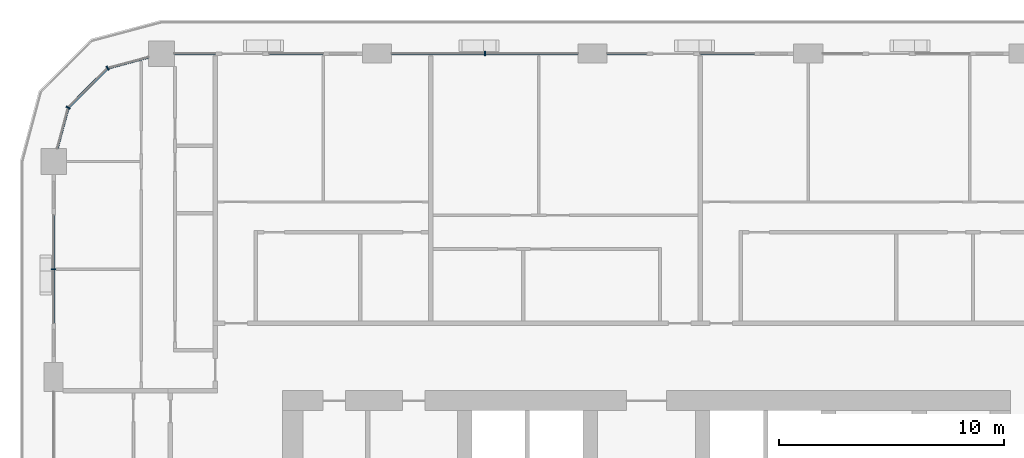
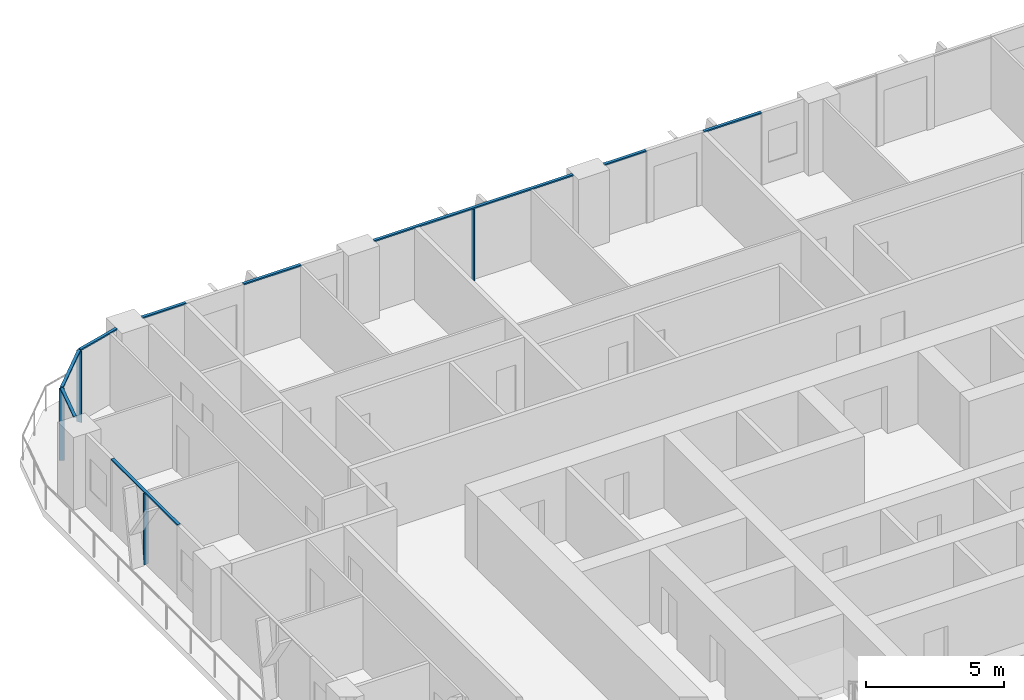
# One storey, part 5 of 22: 13 members, 5 elements without a shape of their own.
"""IFC4 building model written with IfcOpenShell, lengths in metres."""

from ifc_helpers import new_model, si_unit, direction, frame, origin, origin_2d, place, context, subcontext, project, spatial, rectangle, extrude, material, layer, layer_set, material_profile, profile_set, type_object, element, aggregate, save


model = new_model("IFC4")

# Units and contexts
model_context = context("Model", 3, precision=1e-05, world=origin(), true_north=direction((0.0, 1.0)))
body_context = subcontext(model_context, "Body", "Model", "MODEL_VIEW")
ifc_project = project(units=[si_unit("LENGTHUNIT", "METRE"), si_unit("AREAUNIT", "SQUARE_METRE"), si_unit("VOLUMEUNIT", "CUBIC_METRE"), si_unit("PLANEANGLEUNIT", "RADIAN"), si_unit("MASSUNIT", "GRAM", prefix="KILO")], contexts=[model_context])

# Site, building, storey
site_placement = place(None, origin())
site = spatial("IfcSite", under=ifc_project, at=site_placement, CompositionType="ELEMENT")
building_placement = place(site_placement, origin())
building = spatial("IfcBuilding", under=site, at=building_placement, Name="Madar Terraces", CompositionType="ELEMENT")
storey_placement = place(building_placement, frame((0.0, 0.0, 103.199951171875)))
storey = spatial("IfcBuildingStorey", under=building, at=storey_placement, Name="L26", CompositionType="ELEMENT", Elevation=103.199951171875)

# Curtain wall, member
ifc_material_1 = material(Name="Glass, ceramic frit dark grey, with black aluminium frame", Category="aluminium")
ifc_layer = layer(ifc_material_1, 0.199951171875)
ifc_layer_set = layer_set([ifc_layer], Name="Facade curtain wall, fritted glass")
curtain_wall_type = type_object("IfcCurtainWallType", Name="Facade curtain wall, fritted glass", PredefinedType="NOTDEFINED", material=ifc_layer_set)
curtain_wall_1_placement = place(storey_placement, origin())
curtain_wall_1 = element("IfcCurtainWall", 1, at=curtain_wall_1_placement, inside=storey, type_object=curtain_wall_type, Name="Outer skin curtain wall north bay 4", PredefinedType="NOTDEFINED")
ifc_material_2 = material(Name="Aluminium, black anodised", Category="aluminium")
ifc_material_profile_1 = material_profile(ifc_material_2, rectangle(XDim=0.199951171875, YDim=0.06005859375, at=origin_2d()), Name="Facade mullion 60x200")
ifc_profile_set_1 = profile_set([ifc_material_profile_1], Name="Aluminium, black anodised")
member_type_1 = type_object("IfcMemberType", Name="Facade mullion 60x200", PredefinedType="MULLION", material=ifc_profile_set_1)
member_1_placement = place(storey_placement, frame((24.0, 52.800048828125, 0.0), z_axis=(0.0, 0.0, 1.0), x_axis=(0.0, -1.0, 0.0)))
member_1 = element("IfcMember", 2, at=member_1_placement, type_object=member_type_1, Name="Mullion 1", PredefinedType="MULLION", context=body_context, shape_type="SweptSolid", body=[
    extrude(rectangle(XDim=0.199951171875, YDim=0.06005859375, at=origin_2d()), origin(), (0.0, 0.0, 1.0), 3.14013671875),
])

curtain_wall_2_placement = place(storey_placement, origin())
curtain_wall_2 = element("IfcCurtainWall", 3, at=curtain_wall_2_placement, inside=storey, type_object=curtain_wall_type, Name="Outer skin curtain wall west bay 1", PredefinedType="NOTDEFINED")
member_2_placement = place(storey_placement, frame((4.800048828125, 43.199951171875, 0.0), z_axis=(0.0, 0.0, 1.0), x_axis=(1.0, 0.0, 0.0)))
member_2 = element("IfcMember", 4, at=member_2_placement, type_object=member_type_1, Name="Mullion 1", PredefinedType="MULLION", context=body_context, shape_type="SweptSolid", body=[
    extrude(rectangle(XDim=0.199951171875, YDim=0.06005859375, at=origin_2d()), origin(), (0.0, 0.0, 1.0), 3.14013671875),
])

# Curtain wall, members
curtain_wall_3_placement = place(storey_placement, origin())
curtain_wall_3 = element("IfcCurtainWall", 5, at=curtain_wall_3_placement, inside=storey, type_object=curtain_wall_type, Name="Outer skin curtain wall north-west corner", PredefinedType="NOTDEFINED")
member_3_placement = place(storey_placement, frame((7.199951171875, 52.156982421875, 0.0), z_axis=(0.0, 0.0, 1.0), x_axis=(0.499999989586, -0.866025409797, 0.0)))
member_3 = element("IfcMember", 6, at=member_3_placement, type_object=member_type_1, Name="Mullion 1", PredefinedType="MULLION", context=body_context, shape_type="SweptSolid", body=[
    extrude(rectangle(XDim=0.199951171875, YDim=0.06005859375, at=origin_2d()), origin(), (0.0, 0.0, 1.0), 3.14013671875),
])
member_4_placement = place(storey_placement, frame((5.443115234375, 50.39990234375, 0.0), z_axis=(0.0, 0.0, 1.0), x_axis=(0.866025409797, -0.499999989586, 0.0)))
member_4 = element("IfcMember", 7, at=member_4_placement, type_object=member_type_1, Name="Mullion 2", PredefinedType="MULLION", context=body_context, shape_type="SweptSolid", body=[
    extrude(rectangle(XDim=0.199951171875, YDim=0.06005859375, at=origin_2d()), origin(), (0.0, 0.0, 1.0), 3.14013671875),
])

curtain_wall_4_placement = place(storey_placement, origin())
curtain_wall_4 = element("IfcCurtainWall", 8, at=curtain_wall_4_placement, inside=storey, type_object=curtain_wall_type, Name="Outer skin curtain wall north bay 3", PredefinedType="NOTDEFINED")
ifc_material_3 = material(Name="Aluminium, black anodised", Category="aluminium")
ifc_material_profile_2 = material_profile(ifc_material_3, rectangle(XDim=0.1201171875, YDim=0.06005859375, at=origin_2d()), Name="Facade transom 60x120")
ifc_profile_set_2 = profile_set([ifc_material_profile_2], Name="Aluminium, black anodised")
member_type_2 = type_object("IfcMemberType", Name="Facade transom 60x120", PredefinedType="USERDEFINED", material=ifc_profile_set_2)
member_5_placement = place(storey_placement, frame((36.0, 52.800048828125, 3.170166015625), z_axis=(-1.0, 0.0, 0.0), x_axis=(0.0, -1.0, 0.0)))
member_5 = element("IfcMember", 9, at=member_5_placement, type_object=member_type_2, Name="Transom 1", ObjectType="TRANSOM", PredefinedType="USERDEFINED", context=body_context, shape_type="SweptSolid", body=[
    extrude(rectangle(XDim=0.1201171875, YDim=0.06005859375, at=origin_2d()), origin(), (0.0, 0.0, 1.0), 2.39990234375),
])
member_6_placement = place(storey_placement, frame((31.199951171875, 52.800048828125, 3.170166015625), z_axis=(-1.0, 0.0, 0.0), x_axis=(0.0, -1.0, 0.0)))
member_6 = element("IfcMember", 10, at=member_6_placement, type_object=member_type_2, Name="Transom 2", ObjectType="TRANSOM", PredefinedType="USERDEFINED", context=body_context, shape_type="SweptSolid", body=[
    extrude(rectangle(XDim=0.1201171875, YDim=0.06005859375, at=origin_2d()), origin(), (0.0, 0.0, 1.0), 1.75),
])
aggregate(curtain_wall_4, [member_5, member_6])

# Member
member_7_placement = place(storey_placement, frame((28.14990234375, 52.800048828125, 3.170166015625), z_axis=(-1.0, 0.0, 0.0), x_axis=(0.0, -1.0, 0.0)))
member_7 = element("IfcMember", 11, at=member_7_placement, type_object=member_type_2, Name="Transom 1", ObjectType="TRANSOM", PredefinedType="USERDEFINED", context=body_context, shape_type="SweptSolid", body=[
    extrude(rectangle(XDim=0.1201171875, YDim=0.06005859375, at=origin_2d()), origin(), (0.0, 0.0, 1.0), 8.2998046875),
])

aggregate(curtain_wall_1, [member_1, member_7])

# Curtain wall, members
curtain_wall_5_placement = place(storey_placement, origin())
curtain_wall_5 = element("IfcCurtainWall", 12, at=curtain_wall_5_placement, inside=storey, type_object=curtain_wall_type, Name="Outer skin curtain wall north bay 5", PredefinedType="NOTDEFINED")
member_8_placement = place(storey_placement, frame((16.800048828125, 52.800048828125, 3.170166015625), z_axis=(-1.0, 0.0, 0.0), x_axis=(0.0, -1.0, 0.0)))
member_8 = element("IfcMember", 13, at=member_8_placement, type_object=member_type_2, Name="Transom 1", ObjectType="TRANSOM", PredefinedType="USERDEFINED", context=body_context, shape_type="SweptSolid", body=[
    extrude(rectangle(XDim=0.1201171875, YDim=0.06005859375, at=origin_2d()), origin(), (0.0, 0.0, 1.0), 2.400146484375),
])
member_9_placement = place(storey_placement, frame((12.0, 52.800048828125, 3.170166015625), z_axis=(-1.0, 0.0, 0.0), x_axis=(0.0, -1.0, 0.0)))
member_9 = element("IfcMember", 14, at=member_9_placement, type_object=member_type_2, Name="Transom 2", ObjectType="TRANSOM", PredefinedType="USERDEFINED", context=body_context, shape_type="SweptSolid", body=[
    extrude(rectangle(XDim=0.1201171875, YDim=0.06005859375, at=origin_2d()), origin(), (0.0, 0.0, 1.0), 1.824951171875),
])
aggregate(curtain_wall_5, [member_8, member_9])

# Member
member_10_placement = place(storey_placement, frame((4.800048828125, 45.60009765625, 3.170166015625), z_axis=(0.0, -1.0, 0.0), x_axis=(1.0, 0.0, 0.0)))
member_10 = element("IfcMember", 15, at=member_10_placement, type_object=member_type_2, Name="Transom 1", ObjectType="TRANSOM", PredefinedType="USERDEFINED", context=body_context, shape_type="SweptSolid", body=[
    extrude(rectangle(XDim=0.1201171875, YDim=0.06005859375, at=origin_2d()), origin(), (0.0, 0.0, 1.0), 4.800048828125),
])

aggregate(curtain_wall_2, [member_2, member_10])

member_11_placement = place(storey_placement, frame((9.02490234375, 52.64599609375, 3.170166015625), z_axis=(-0.965926950947, -0.258814847786, 0.0), x_axis=(0.258814847786, -0.965926950947, 0.0)))
member_11 = element("IfcMember", 16, at=member_11_placement, type_object=member_type_2, Name="Transom 1", ObjectType="TRANSOM", PredefinedType="USERDEFINED", context=body_context, shape_type="SweptSolid", body=[
    extrude(rectangle(XDim=0.1201171875, YDim=0.06005859375, at=origin_2d()), origin(), (0.0, 0.0, 1.0), 1.859130859375),
])

member_12_placement = place(storey_placement, frame((7.1787109375, 52.1357421875, 3.170166015625), z_axis=(-0.707056433593, -0.707157125196, 0.0), x_axis=(0.707157125196, -0.707056433593, 0.0)))
member_12 = element("IfcMember", 17, at=member_12_placement, type_object=member_type_2, Name="Transom 2", ObjectType="TRANSOM", PredefinedType="USERDEFINED", context=body_context, shape_type="SweptSolid", body=[
    extrude(rectangle(XDim=0.1201171875, YDim=0.06005859375, at=origin_2d()), origin(), (0.0, 0.0, 1.0), 2.424560546875),
])

member_13_placement = place(storey_placement, frame((5.435302734375, 50.37109375, 3.170166015625), z_axis=(-0.258782024434, -0.965935745187, 0.0), x_axis=(0.965935745187, -0.258782024434, 0.0)))
member_13 = element("IfcMember", 18, at=member_13_placement, type_object=member_type_2, Name="Transom 3", ObjectType="TRANSOM", PredefinedType="USERDEFINED", context=body_context, shape_type="SweptSolid", body=[
    extrude(rectangle(XDim=0.1201171875, YDim=0.06005859375, at=origin_2d()), origin(), (0.0, 0.0, 1.0), 1.859375),
])

aggregate(curtain_wall_3, [member_3, member_11, member_4, member_12, member_13])

save(model, "model.ifc")
